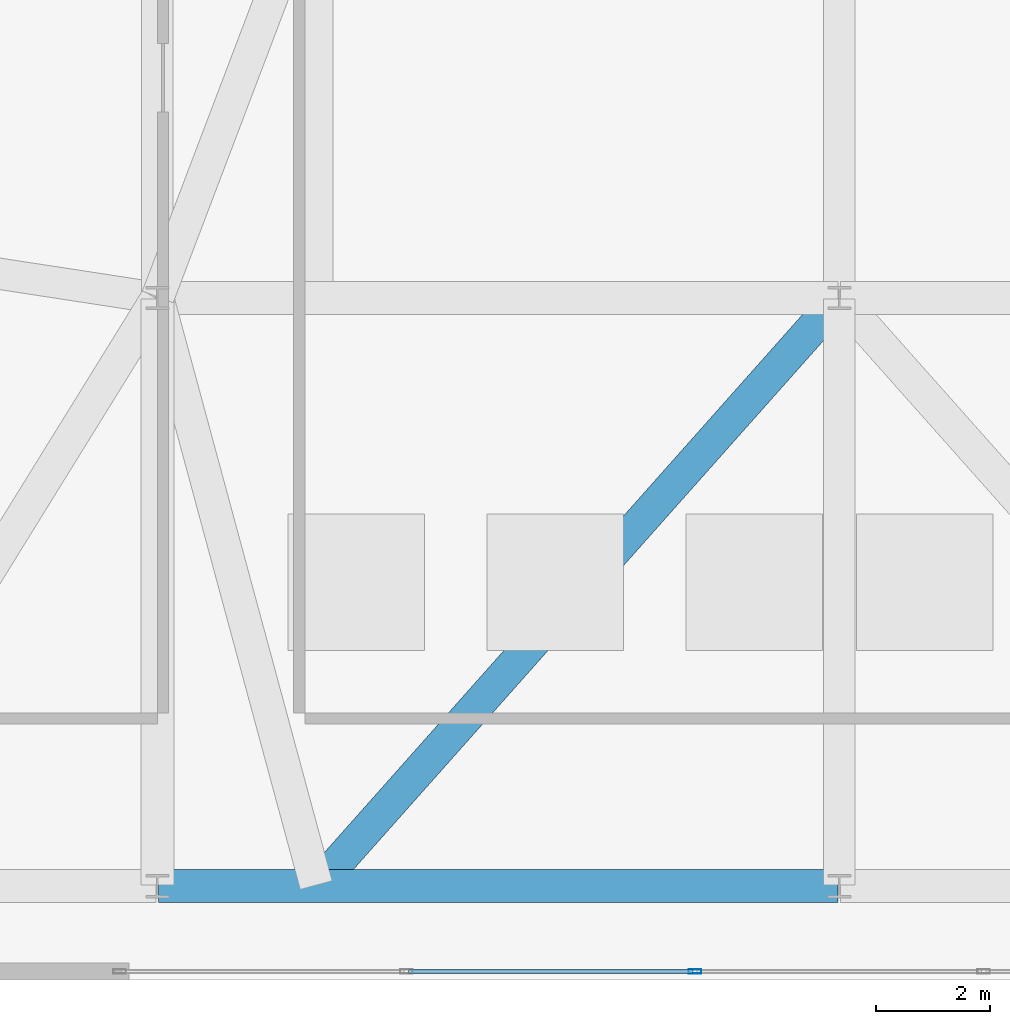
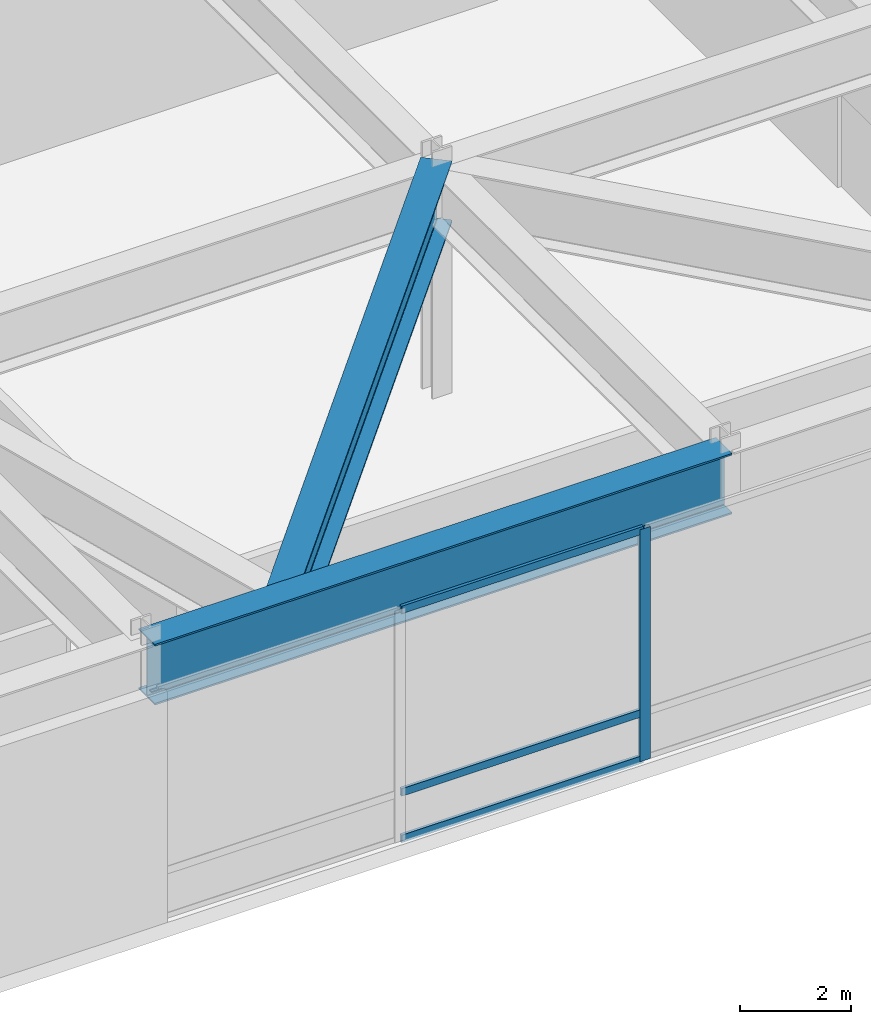
# One storey, part 5 of 16: 4 members, 2 beams, 1 element without a shape of its own.
"""IFC4 building model written with IfcOpenShell, lengths in metres."""

from ifc_helpers import new_model, si_unit, direction, frame, origin, origin_2d, place, context, subcontext, project, spatial, hollow_rectangle, i_section, extrude, source, transform, mapped, material, layer, layer_set, material_profile, profile_set, type_object, type_shapes, element, aggregate, save


model = new_model("IFC4")

# Units and contexts
model_context = context("Model", 3, precision=1e-05, world=origin(), true_north=direction((0.0, 1.0)))
body_context = subcontext(model_context, "Body", "Model", "MODEL_VIEW")
ifc_project = project(units=[si_unit("LENGTHUNIT", "METRE"), si_unit("AREAUNIT", "SQUARE_METRE"), si_unit("VOLUMEUNIT", "CUBIC_METRE"), si_unit("PLANEANGLEUNIT", "RADIAN"), si_unit("MASSUNIT", "GRAM", prefix="KILO")], contexts=[model_context])

# Site, building, storey
site_placement = place(None, origin())
site = spatial("IfcSite", under=ifc_project, at=site_placement, CompositionType="ELEMENT")
building_placement = place(site_placement, origin())
building = spatial("IfcBuilding", under=site, at=building_placement, Name="Varnel Quay Broadcast Tower", CompositionType="ELEMENT")
storey_placement = place(building_placement, frame((0.0, 0.0, 22.199951171875)))
storey = spatial("IfcBuildingStorey", under=building, at=storey_placement, Name="L04", CompositionType="ELEMENT", Elevation=22.199951171875)

# Beams
ifc_material_1 = material(Name="Structural Steel CSA G40.21 350WT", Category="steel")
ifc_material_profile_1 = material_profile(ifc_material_1, i_section(OverallWidth=0.580078125, OverallDepth=1.330078125, WebThickness=0.02197265625, FlangeThickness=0.0380859375, FilletRadius=0.02001953125, at=origin_2d()), Name="WWF1330X535")
ifc_profile_set_1 = profile_set([ifc_material_profile_1], Name="Structural Steel CSA G40.21 350WT")
beam_type = type_object("IfcBeamType", Name="Girder_WWF1330X535", PredefinedType="BEAM", material=ifc_profile_set_1)
shared_shape_1 = source(origin(), body_context, "Body", "SweptSolid", [
    extrude(i_section(OverallWidth=0.580078125, OverallDepth=1.330078125, WebThickness=0.02197265625, FlangeThickness=0.0380859375, FilletRadius=0.02001953125, at=origin_2d()), origin(), (0.0, 0.0, 1.0), 11.9599609375),
])
beam_1_placement = place(storey_placement, frame((22.02001953125, 1.64990234375, 4.4150390625), z_axis=(1.0, 0.0, 0.0), x_axis=(0.0, 1.0, 0.0)))
element("IfcBeam", 1, at=beam_1_placement, inside=storey, type_object=beam_type, Name="L04 Primary Transfer Girder TRG-S2", PredefinedType="BEAM", context=body_context, shape_type="MappedRepresentation", body=[
    mapped(shared_shape_1, transform((0.0, 0.0, 0.0), x_axis=(1.0, 0.0, 0.0), y_axis=(0.0, 1.0, 0.0), z_axis=(0.0, 0.0, 1.0), scale=1.0)),
])
shared_shape_2 = source(origin(), body_context, "Body", "SweptSolid", [
    extrude(i_section(OverallWidth=0.580078125, OverallDepth=1.330078125, WebThickness=0.02197265625, FlangeThickness=0.0380859375, FilletRadius=0.02001953125, at=origin_2d()), origin(), (0.0, 0.0, 1.0), 13.80810546875),
])
type_shapes(beam_type, [shared_shape_1, shared_shape_2])
beam_2_placement = place(storey_placement, frame((33.98681640625, 11.985107421875, 4.4150390625), z_axis=(-0.664362741389, -0.747410294185, 0.0), x_axis=(0.747410294185, -0.664362741389, 0.0)))
element("IfcBeam", 2, at=beam_2_placement, inside=storey, type_object=beam_type, Name="L04 Nodal Transfer Tie TC-S2-PC-04B", PredefinedType="BEAM", context=body_context, shape_type="MappedRepresentation", body=[
    mapped(shared_shape_2, transform((0.0, 0.0, 0.0), x_axis=(1.0, 0.0, 0.0), y_axis=(0.0, 1.0, 0.0), z_axis=(0.0, 0.0, 1.0), scale=1.0)),
])

# Curtain wall, members
ifc_material_2 = material(Name="Anodised Bronze Aluminium 6063-T6", Category="aluminium")
ifc_layer = layer(ifc_material_2, 0.18994140625, Name="Anodised Bronze Aluminium 6063-T6")
ifc_layer_set = layer_set([ifc_layer], Name="Anodised Bronze Aluminium 6063-T6")
curtain_wall_type = type_object("IfcCurtainWallType", Name="CW_PodiumForum", PredefinedType="NOTDEFINED", material=ifc_layer_set)
curtain_wall_placement = place(storey_placement, origin())
curtain_wall = element("IfcCurtainWall", 3, at=curtain_wall_placement, inside=storey, type_object=curtain_wall_type, Name="L04 Waterfront Forum Curtain Wall", PredefinedType="NOTDEFINED")
ifc_material_profile_2 = material_profile(ifc_material_2, hollow_rectangle(XDim=0.06494140625, YDim=0.1650390625, WallThickness=0.00341796875, at=origin_2d()), Name="ALU65X165X3.5")
ifc_profile_set_2 = profile_set([ifc_material_profile_2], Name="Anodised Bronze Aluminium 6063-T6")
member_type_1 = type_object("IfcMemberType", Name="Tran_CWS-01", PredefinedType="USERDEFINED", material=ifc_profile_set_2)
shared_shape_3 = source(origin(), body_context, "Body", "SweptSolid", [
    extrude(hollow_rectangle(XDim=0.06494140625, YDim=0.1650390625, WallThickness=0.00341796875, at=origin_2d()), origin(), (0.0, 0.0, 1.0), 5.005126953125),
])
type_shapes(member_type_1, [shared_shape_3])
member_1_placement = place(storey_placement, frame((26.41748046875, 0.14990234375, 0.032470703125), z_axis=(1.0, 0.0, 0.0), x_axis=(0.0, 1.0, 0.0)))
member_1 = element("IfcMember", 4, at=member_1_placement, type_object=member_type_1, Name="CWS-01 transom 2.1", ObjectType="TRANSOM", PredefinedType="USERDEFINED", context=body_context, shape_type="MappedRepresentation", body=[
    mapped(shared_shape_3, transform((0.0, 0.0, 0.0), x_axis=(1.0, 0.0, 0.0), y_axis=(0.0, 1.0, 0.0), z_axis=(0.0, 0.0, 1.0), scale=1.0)),
])
member_2_placement = place(storey_placement, frame((26.41748046875, 0.14990234375, 1.050048828125), z_axis=(1.0, 0.0, 0.0), x_axis=(0.0, 1.0, 0.0)))
member_2 = element("IfcMember", 5, at=member_2_placement, type_object=member_type_1, Name="CWS-01 transom 2.2", ObjectType="TRANSOM", PredefinedType="USERDEFINED", context=body_context, shape_type="MappedRepresentation", body=[
    mapped(shared_shape_3, transform((0.0, 0.0, 0.0), x_axis=(1.0, 0.0, 0.0), y_axis=(0.0, 1.0, 0.0), z_axis=(0.0, 0.0, 1.0), scale=1.0)),
])
member_3_placement = place(storey_placement, frame((26.41748046875, 0.14990234375, 5.047607421875), z_axis=(1.0, 0.0, 0.0), x_axis=(0.0, 1.0, 0.0)))
member_3 = element("IfcMember", 6, at=member_3_placement, type_object=member_type_1, Name="CWS-01 transom 2.3", ObjectType="TRANSOM", PredefinedType="USERDEFINED", context=body_context, shape_type="MappedRepresentation", body=[
    mapped(shared_shape_3, transform((0.0, 0.0, 0.0), x_axis=(1.0, 0.0, 0.0), y_axis=(0.0, 1.0, 0.0), z_axis=(0.0, 0.0, 1.0), scale=1.0)),
])
ifc_material_profile_3 = material_profile(ifc_material_2, hollow_rectangle(XDim=0.074951171875, YDim=0.219970703125, WallThickness=0.00390625, at=origin_2d()), Name="ALU75X220X4")
ifc_profile_set_3 = profile_set([ifc_material_profile_3], Name="Anodised Bronze Aluminium 6063-T6")
member_type_2 = type_object("IfcMemberType", Name="Mull_CWS-01", PredefinedType="MULLION", material=ifc_profile_set_3)
shared_shape_4 = source(origin(), body_context, "Body", "SweptSolid", [
    extrude(hollow_rectangle(XDim=0.074951171875, YDim=0.219970703125, WallThickness=0.00390625, at=origin_2d()), origin(), (0.0, 0.0, 1.0), 5.080078125),
])
type_shapes(member_type_2, [shared_shape_4])
member_4_placement = place(storey_placement, frame((31.4599609375, 0.14990234375, 0.0), z_axis=(0.0, 0.0, 1.0), x_axis=(0.0, 1.0, 0.0)))
member_4 = element("IfcMember", 7, at=member_4_placement, type_object=member_type_2, Name="CWS-01 mullion 3", PredefinedType="MULLION", context=body_context, shape_type="MappedRepresentation", body=[
    mapped(shared_shape_4, transform((0.0, 0.0, 0.0), x_axis=(1.0, 0.0, 0.0), y_axis=(0.0, 1.0, 0.0), z_axis=(0.0, 0.0, 1.0), scale=1.0)),
])
aggregate(curtain_wall, [member_4, member_1, member_2, member_3])

save(model, "model.ifc")
